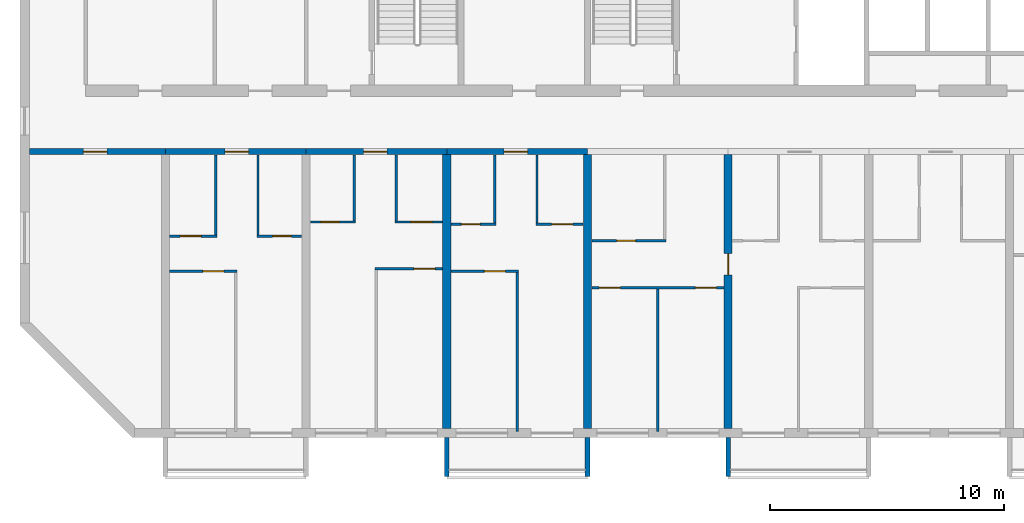
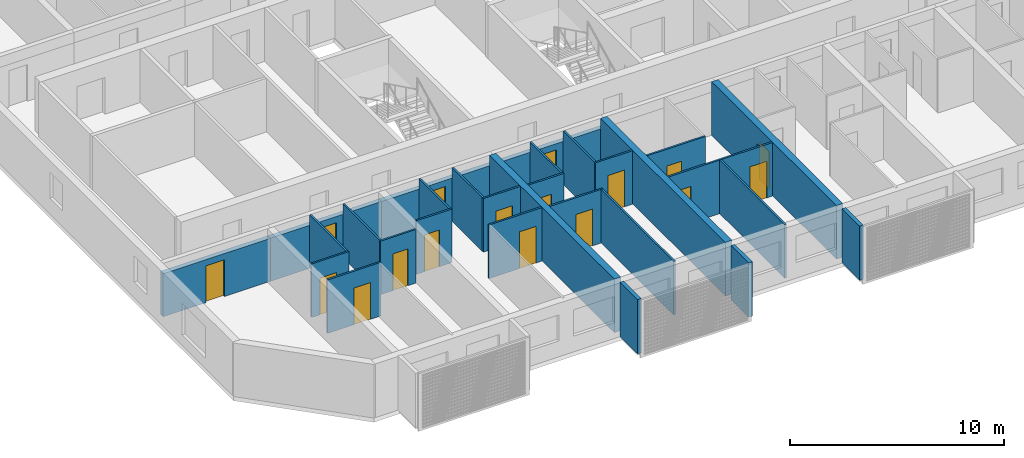
# One storey, part 3 of 28: 29 walls, 17 doors, 17 openings.
"""IFC4 building model written with IfcOpenShell, lengths in metres."""

from ifc_helpers import new_model, si_unit, direction, frame, frame_2d, origin, place, context, subcontext, project, spatial, polyline, rectangle, outline, extrude, source, transform, mapped, material, layer, layer_set, type_object, element, fill, save


model = new_model("IFC4")

# Units and contexts
model_context = context("Model", 3, precision=1e-05, world=origin(), true_north=direction((0.0, 1.0)))
body_context = subcontext(model_context, "Body", "Model", "MODEL_VIEW")
ifc_project = project(units=[si_unit("LENGTHUNIT", "METRE"), si_unit("AREAUNIT", "SQUARE_METRE"), si_unit("VOLUMEUNIT", "CUBIC_METRE"), si_unit("PLANEANGLEUNIT", "RADIAN"), si_unit("MASSUNIT", "GRAM", prefix="KILO")], contexts=[model_context])

# Site, building, storey
site_placement = place(None, origin())
site = spatial("IfcSite", under=ifc_project, at=site_placement, CompositionType="ELEMENT")
building_placement = place(site_placement, origin())
building = spatial("IfcBuilding", under=site, at=building_placement, Name="Poui Terraces", CompositionType="ELEMENT")
storey_placement = place(building_placement, frame((0.0, 0.0, 72.89990234375)))
storey = spatial("IfcBuildingStorey", under=building, at=storey_placement, Name="L19", CompositionType="ELEMENT", Elevation=72.89990234375)

# Wall, opening, door
ifc_material_1 = material(Name="Concrete 65 MPa", Category="concrete")
ifc_layer_1 = layer(ifc_material_1, 0.25)
ifc_layer_set_1 = layer_set([ifc_layer_1], Name="Concrete 65 MPa")
wall_type_1 = type_object("IfcWallType", Name="CORRIDOR WALL 250 65MPa", PredefinedType="SHEAR", material=ifc_layer_set_1)
wall_1_placement = place(storey_placement, frame((6.199951171875, 12.0, 0.0), z_axis=(0.0, 0.0, 1.0), x_axis=(1.0, 0.0, 0.0)))
wall_1 = element("IfcWall", 1, at=wall_1_placement, inside=storey, type_object=wall_type_1, Name="CORRIDOR WALL LINE B BAY 1", PredefinedType="SHEAR", context=body_context, shape_type="SweptSolid", body=[
    extrude(rectangle(XDim=5.800048828125, YDim=0.25, at=frame_2d((2.89990234375, 0.0))), origin(), (0.0, 0.0, 1.0), 2.460205078125),
])
opening_1_placement = place(wall_1_placement, frame((2.300048828125, 0.0, 0.0)))
opening_1 = element("IfcOpeningElement", 2, at=opening_1_placement, cuts=wall_1, Name="Opening D100", PredefinedType="OPENING", context=body_context, shape_type="SweptSolid", body=[
    extrude(rectangle(XDim=1.0, YDim=2.10009765625, at=frame_2d((0.5, 1.050048828125))), frame((0.0, 0.135009765625, 0.0), z_axis=(0.0, -1.0, 0.0), x_axis=(1.0, 0.0, 0.0)), (0.0, 0.0, 1.0), 0.27001953125),
])
ifc_material_2 = material(Name="Solid core timber door", Category="wood")
door_type_1 = type_object("IfcDoorType", Name="ACCESSIBLE INTERNAL DOOR 1000 X 2100", OperationType="NOTDEFINED", PredefinedType="DOOR", material=ifc_material_2)
door_1_placement = place(opening_1_placement, frame((1.0, 0.0, 0.0), z_axis=(0.0, 0.0, 1.0), x_axis=(-1.0, 0.0, 0.0)))
door_1 = element("IfcDoor", 3, at=door_1_placement, inside=storey, type_object=door_type_1, Name="ACCESSIBLE INTERNAL DOOR 083", OperationType="SINGLE_SWING_RIGHT", OverallHeight=2.10009765625, OverallWidth=1.0, PredefinedType="DOOR", context=body_context, shape_type="SweptSolid", body=[
    extrude(rectangle(XDim=1.0, YDim=2.10009765625, at=frame_2d((0.5, 1.050048828125))), frame((0.0, 0.02490234375, 0.0), z_axis=(0.0, -1.0, 0.0), x_axis=(1.0, 0.0, 0.0)), (0.0, 0.0, 1.0), 0.050048828125),
])
fill(opening_1, door_1)

wall_2_placement = place(storey_placement, frame((12.0, 12.0, 0.0), z_axis=(0.0, 0.0, 1.0), x_axis=(1.0, 0.0, 0.0)))
wall_2 = element("IfcWall", 4, at=wall_2_placement, inside=storey, type_object=wall_type_1, Name="CORRIDOR WALL LINE B BAY 2", PredefinedType="SHEAR", context=body_context, shape_type="SweptSolid", body=[
    extrude(rectangle(XDim=6.0, YDim=0.25, at=frame_2d((3.0, 0.0))), origin(), (0.0, 0.0, 1.0), 2.460205078125),
])
opening_2_placement = place(wall_2_placement, frame((2.550048828125, 0.0, 0.0)))
opening_2 = element("IfcOpeningElement", 5, at=opening_2_placement, cuts=wall_2, Name="Opening FD30S", PredefinedType="OPENING", context=body_context, shape_type="SweptSolid", body=[
    extrude(rectangle(XDim=1.0, YDim=2.10009765625, at=frame_2d((0.5, 1.050048828125))), frame((0.0, 0.135009765625, 0.0), z_axis=(0.0, -1.0, 0.0), x_axis=(1.0, 0.0, 0.0)), (0.0, 0.0, 1.0), 0.27001953125),
])
ifc_material_3 = material(Name="Steel fire door", Category="steel")
door_type_2 = type_object("IfcDoorType", Name="FLAT ENTRANCE DOOR 1000 X 2100", OperationType="NOTDEFINED", PredefinedType="DOOR", material=ifc_material_3)
door_2_placement = place(opening_2_placement, frame((1.0, 0.0, 0.0), z_axis=(0.0, 0.0, 1.0), x_axis=(-1.0, 0.0, 0.0)))
door_2 = element("IfcDoor", 6, at=door_2_placement, inside=storey, type_object=door_type_2, Name="FLAT ENTRANCE DOOR 086", OperationType="SINGLE_SWING_LEFT", OverallHeight=2.10009765625, OverallWidth=1.0, PredefinedType="DOOR", context=body_context, shape_type="SweptSolid", body=[
    extrude(rectangle(XDim=1.0, YDim=2.10009765625, at=frame_2d((0.5, 1.050048828125))), frame((0.0, 0.02490234375, 0.0), z_axis=(0.0, -1.0, 0.0), x_axis=(1.0, 0.0, 0.0)), (0.0, 0.0, 1.0), 0.050048828125),
])
fill(opening_2, door_2)

wall_3_placement = place(storey_placement, frame((18.0, 12.0, 0.0), z_axis=(0.0, 0.0, 1.0), x_axis=(1.0, 0.0, 0.0)))
wall_3 = element("IfcWall", 7, at=wall_3_placement, inside=storey, type_object=wall_type_1, Name="CORRIDOR WALL LINE B BAY 3", PredefinedType="SHEAR", context=body_context, shape_type="SweptSolid", body=[
    extrude(rectangle(XDim=6.0, YDim=0.25, at=frame_2d((3.0, 0.0))), origin(), (0.0, 0.0, 1.0), 2.460205078125),
])
opening_3_placement = place(wall_3_placement, frame((2.449951171875, 0.0, 0.0)))
opening_3 = element("IfcOpeningElement", 8, at=opening_3_placement, cuts=wall_3, Name="Opening FD30S", PredefinedType="OPENING", context=body_context, shape_type="SweptSolid", body=[
    extrude(rectangle(XDim=1.0, YDim=2.10009765625, at=frame_2d((0.5, 1.050048828125))), frame((0.0, 0.135009765625, 0.0), z_axis=(0.0, -1.0, 0.0), x_axis=(1.0, 0.0, 0.0)), (0.0, 0.0, 1.0), 0.27001953125),
])
door_3_placement = place(opening_3_placement, frame((1.0, 0.0, 0.0), z_axis=(0.0, 0.0, 1.0), x_axis=(-1.0, 0.0, 0.0)))
door_3 = element("IfcDoor", 9, at=door_3_placement, inside=storey, type_object=door_type_2, Name="FLAT ENTRANCE DOOR 089", OperationType="SINGLE_SWING_RIGHT", OverallHeight=2.10009765625, OverallWidth=1.0, PredefinedType="DOOR", context=body_context, shape_type="SweptSolid", body=[
    extrude(rectangle(XDim=1.0, YDim=2.10009765625, at=frame_2d((0.5, 1.050048828125))), frame((0.0, 0.02490234375, 0.0), z_axis=(0.0, -1.0, 0.0), x_axis=(1.0, 0.0, 0.0)), (0.0, 0.0, 1.0), 0.050048828125),
])
fill(opening_3, door_3)

wall_4_placement = place(storey_placement, frame((24.0, 12.0, 0.0), z_axis=(0.0, 0.0, 1.0), x_axis=(1.0, 0.0, 0.0)))
wall_4 = element("IfcWall", 10, at=wall_4_placement, inside=storey, type_object=wall_type_1, Name="CORRIDOR WALL LINE B BAY 4", PredefinedType="SHEAR", context=body_context, shape_type="SweptSolid", body=[
    extrude(rectangle(XDim=6.0, YDim=0.25, at=frame_2d((3.0, 0.0))), origin(), (0.0, 0.0, 1.0), 2.460205078125),
])
opening_4_placement = place(wall_4_placement, frame((2.449951171875, 0.0, 0.0)))
opening_4 = element("IfcOpeningElement", 11, at=opening_4_placement, cuts=wall_4, Name="Opening FD30S", PredefinedType="OPENING", context=body_context, shape_type="SweptSolid", body=[
    extrude(rectangle(XDim=1.0, YDim=2.10009765625, at=frame_2d((0.5, 1.050048828125))), frame((0.0, 0.135009765625, 0.0), z_axis=(0.0, -1.0, 0.0), x_axis=(1.0, 0.0, 0.0)), (0.0, 0.0, 1.0), 0.27001953125),
])
door_4_placement = place(opening_4_placement, frame((1.0, 0.0, 0.0), z_axis=(0.0, 0.0, 1.0), x_axis=(-1.0, 0.0, 0.0)))
door_4 = element("IfcDoor", 12, at=door_4_placement, inside=storey, type_object=door_type_2, Name="FLAT ENTRANCE DOOR 094", OperationType="SINGLE_SWING_RIGHT", OverallHeight=2.10009765625, OverallWidth=1.0, PredefinedType="DOOR", context=body_context, shape_type="SweptSolid", body=[
    extrude(rectangle(XDim=1.0, YDim=2.10009765625, at=frame_2d((0.5, 1.050048828125))), frame((0.0, 0.02490234375, 0.0), z_axis=(0.0, -1.0, 0.0), x_axis=(1.0, 0.0, 0.0)), (0.0, 0.0, 1.0), 0.050048828125),
])
fill(opening_4, door_4)

# Walls
ifc_layer_2 = layer(ifc_material_1, 0.35009765625)
ifc_layer_set_2 = layer_set([ifc_layer_2], Name="Concrete 65 MPa")
wall_type_2 = type_object("IfcWallType", Name="CROSS WALL 350 65MPa", PredefinedType="SHEAR", material=ifc_layer_set_2)
for number, where, z_axis, x_axis, name in (
    (13, (24.0, 0.199951171875, 0.0), (0.0, 0.0, 1.0), (0.0, 1.0, 0.0), "CROSS WALL LINE 5 SOUTH"),
    (14, (30.0, 0.199951171875, 0.0), (0.0, 0.0, 1.0), (0.0, 1.0, 0.0), "CROSS WALL LINE 6 SOUTH"),
):
    element("IfcWall", number, at=place(storey_placement, frame(where, z_axis=z_axis, x_axis=x_axis)), inside=storey, type_object=wall_type_2, Name=name, PredefinedType="SHEAR", context=body_context, shape_type="SweptSolid", body=[
        extrude(rectangle(XDim=11.675048828125, YDim=0.35009765625, at=frame_2d((5.83740234375, 0.0))), origin(), (0.0, 0.0, 1.0), 3.06005859375),
    ])

# Wall, opening, door
wall_5_placement = place(storey_placement, frame((36.0, 0.199951171875, 0.0), z_axis=(0.0, 0.0, 1.0), x_axis=(0.0, 1.0, 0.0)))
wall_5 = element("IfcWall", 15, at=wall_5_placement, inside=storey, type_object=wall_type_2, Name="CROSS WALL LINE 7 SOUTH", PredefinedType="SHEAR", context=body_context, shape_type="SweptSolid", body=[
    extrude(rectangle(XDim=11.675048828125, YDim=0.35009765625, at=frame_2d((5.83740234375, 0.0))), origin(), (0.0, 0.0, 1.0), 3.06005859375),
])
opening_5_placement = place(wall_5_placement, frame((6.550048828125, 0.0, 0.0)))
opening_5 = element("IfcOpeningElement", 16, at=opening_5_placement, cuts=wall_5, Name="Opening D90", PredefinedType="OPENING", context=body_context, shape_type="SweptSolid", body=[
    extrude(rectangle(XDim=0.89990234375, YDim=2.10009765625, at=frame_2d((0.449951171875, 1.050048828125))), frame((0.0, 0.18505859375, 0.0), z_axis=(0.0, -1.0, 0.0), x_axis=(1.0, 0.0, 0.0)), (0.0, 0.0, 1.0), 0.3701171875),
])
door_type_3 = type_object("IfcDoorType", Name="INTERNAL DOOR 900 X 2100", OperationType="NOTDEFINED", PredefinedType="DOOR", material=ifc_material_2)
door_5_placement = place(opening_5_placement, frame((0.89990234375, 0.0, 0.0), z_axis=(0.0, 0.0, 1.0), x_axis=(-1.0, 0.0, 0.0)))
door_5 = element("IfcDoor", 17, at=door_5_placement, inside=storey, type_object=door_type_3, Name="INTERNAL DOOR 099", OperationType="SINGLE_SWING_LEFT", OverallHeight=2.10009765625, OverallWidth=0.89990234375, PredefinedType="DOOR", context=body_context, shape_type="SweptSolid", body=[
    extrude(rectangle(XDim=0.89990234375, YDim=2.10009765625, at=frame_2d((0.449951171875, 1.050048828125))), frame((0.0, 0.02490234375, 0.0), z_axis=(0.0, -1.0, 0.0), x_axis=(1.0, 0.0, 0.0)), (0.0, 0.0, 1.0), 0.050048828125),
])
fill(opening_5, door_5)

# Wall, openings, doors
ifc_material_4 = material(Name="Plasterboard partition")
ifc_layer_3 = layer(ifc_material_4, 0.10009765625)
ifc_layer_set_3 = layer_set([ifc_layer_3], Name="Plasterboard partition")
wall_type_3 = type_object("IfcWallType", Name="FLAT PARTITION 100", PredefinedType="PARTITIONING", material=ifc_layer_set_3)
wall_6_placement = place(storey_placement, frame((30.18505859375, 6.199951171875, 0.0), z_axis=(0.0, 0.0, 1.0), x_axis=(1.0, 0.0, 0.0)))
wall_6 = element("IfcWall", 18, at=wall_6_placement, inside=storey, type_object=wall_type_3, Name="FLAT PARTITION 100", PredefinedType="PARTITIONING", context=body_context, shape_type="SweptSolid", body=[
    extrude(rectangle(XDim=5.6298828125, YDim=0.10009765625, at=frame_2d((2.81494140625, 0.0))), origin(), (0.0, 0.0, 1.0), 3.06005859375),
])
opening_6_placement = place(wall_6_placement, frame((0.31494140625, 0.0, 0.0)))
opening_6 = element("IfcOpeningElement", 19, at=opening_6_placement, cuts=wall_6, Name="Opening D90", PredefinedType="OPENING", context=body_context, shape_type="SweptSolid", body=[
    extrude(rectangle(XDim=0.89990234375, YDim=2.10009765625, at=frame_2d((0.449951171875, 1.050048828125))), frame((0.0, 0.06005859375, 0.0), z_axis=(0.0, -1.0, 0.0), x_axis=(1.0, 0.0, 0.0)), (0.0, 0.0, 1.0), 0.1201171875),
])
opening_7_placement = place(wall_6_placement, frame((4.4150390625, 0.0, 0.0)))
opening_7 = element("IfcOpeningElement", 20, at=opening_7_placement, cuts=wall_6, Name="Opening D90", PredefinedType="OPENING", context=body_context, shape_type="SweptSolid", body=[
    extrude(rectangle(XDim=0.89990234375, YDim=2.10009765625, at=frame_2d((0.449951171875, 1.050048828125))), frame((0.0, 0.06005859375, 0.0), z_axis=(0.0, -1.0, 0.0), x_axis=(1.0, 0.0, 0.0)), (0.0, 0.0, 1.0), 0.1201171875),
])
door_6_placement = place(opening_6_placement, frame((0.89990234375, 0.0, 0.0), z_axis=(0.0, 0.0, 1.0), x_axis=(-1.0, 0.0, 0.0)))
door_6 = element("IfcDoor", 21, at=door_6_placement, inside=storey, type_object=door_type_3, Name="INTERNAL DOOR 096", OperationType="SINGLE_SWING_RIGHT", OverallHeight=2.10009765625, OverallWidth=0.89990234375, PredefinedType="DOOR", context=body_context, shape_type="SweptSolid", body=[
    extrude(rectangle(XDim=0.89990234375, YDim=2.10009765625, at=frame_2d((0.449951171875, 1.050048828125))), frame((0.0, 0.02490234375, 0.0), z_axis=(0.0, -1.0, 0.0), x_axis=(1.0, 0.0, 0.0)), (0.0, 0.0, 1.0), 0.050048828125),
])
fill(opening_6, door_6)
door_7_placement = place(opening_7_placement, frame((0.89990234375, 0.0, 0.0), z_axis=(0.0, 0.0, 1.0), x_axis=(-1.0, 0.0, 0.0)))
door_7 = element("IfcDoor", 22, at=door_7_placement, inside=storey, type_object=door_type_3, Name="INTERNAL DOOR 098", OperationType="SINGLE_SWING_LEFT", OverallHeight=2.10009765625, OverallWidth=0.89990234375, PredefinedType="DOOR", context=body_context, shape_type="SweptSolid", body=[
    extrude(rectangle(XDim=0.89990234375, YDim=2.10009765625, at=frame_2d((0.449951171875, 1.050048828125))), frame((0.0, 0.02490234375, 0.0), z_axis=(0.0, -1.0, 0.0), x_axis=(1.0, 0.0, 0.0)), (0.0, 0.0, 1.0), 0.050048828125),
])
fill(opening_7, door_7)

# Wall, opening, door
wall_7_placement = place(storey_placement, frame((12.18505859375, 6.89990234375, 0.0), z_axis=(0.0, 0.0, 1.0), x_axis=(1.0, 0.0, 0.0)))
wall_7 = element("IfcWall", 23, at=wall_7_placement, inside=storey, type_object=wall_type_3, Name="FLAT PARTITION 100", PredefinedType="PARTITIONING", context=body_context, shape_type="SweptSolid", body=[
    extrude(rectangle(XDim=2.864990234375, YDim=0.10009765625, at=frame_2d((1.4326171875, 0.0))), origin(), (0.0, 0.0, 1.0), 3.06005859375),
])
opening_8_placement = place(wall_7_placement, frame((1.4150390625, 0.0, 0.0)))
opening_8 = element("IfcOpeningElement", 24, at=opening_8_placement, cuts=wall_7, Name="Opening D90", PredefinedType="OPENING", context=body_context, shape_type="SweptSolid", body=[
    extrude(rectangle(XDim=0.89990234375, YDim=2.10009765625, at=frame_2d((0.449951171875, 1.050048828125))), frame((0.0, 0.06005859375, 0.0), z_axis=(0.0, -1.0, 0.0), x_axis=(1.0, 0.0, 0.0)), (0.0, 0.0, 1.0), 0.1201171875),
])
door_8_placement = place(opening_8_placement, origin())
door_8 = element("IfcDoor", 25, at=door_8_placement, inside=storey, type_object=door_type_3, Name="INTERNAL DOOR 085", OperationType="SINGLE_SWING_LEFT", OverallHeight=2.10009765625, OverallWidth=0.89990234375, PredefinedType="DOOR", context=body_context, shape_type="SweptSolid", body=[
    extrude(rectangle(XDim=0.89990234375, YDim=2.10009765625, at=frame_2d((0.449951171875, 1.050048828125))), frame((0.0, 0.02490234375, 0.0), z_axis=(0.0, -1.0, 0.0), x_axis=(1.0, 0.0, 0.0)), (0.0, 0.0, 1.0), 0.050048828125),
])
fill(opening_8, door_8)

wall_8_placement = place(storey_placement, frame((24.18505859375, 6.89990234375, 0.0), z_axis=(0.0, 0.0, 1.0), x_axis=(1.0, 0.0, 0.0)))
wall_8 = element("IfcWall", 26, at=wall_8_placement, inside=storey, type_object=wall_type_3, Name="FLAT PARTITION 100", PredefinedType="PARTITIONING", context=body_context, shape_type="SweptSolid", body=[
    extrude(rectangle(XDim=2.864990234375, YDim=0.10009765625, at=frame_2d((1.4326171875, 0.0))), origin(), (0.0, 0.0, 1.0), 3.06005859375),
])
opening_9_placement = place(wall_8_placement, frame((1.4150390625, 0.0, 0.0)))
opening_9 = element("IfcOpeningElement", 27, at=opening_9_placement, cuts=wall_8, Name="Opening D90", PredefinedType="OPENING", context=body_context, shape_type="SweptSolid", body=[
    extrude(rectangle(XDim=0.89990234375, YDim=2.10009765625, at=frame_2d((0.449951171875, 1.050048828125))), frame((0.0, 0.06005859375, 0.0), z_axis=(0.0, -1.0, 0.0), x_axis=(1.0, 0.0, 0.0)), (0.0, 0.0, 1.0), 0.1201171875),
])
door_9_placement = place(opening_9_placement, origin())
door_9 = element("IfcDoor", 28, at=door_9_placement, inside=storey, type_object=door_type_3, Name="INTERNAL DOOR 093", OperationType="SINGLE_SWING_LEFT", OverallHeight=2.10009765625, OverallWidth=0.89990234375, PredefinedType="DOOR", context=body_context, shape_type="SweptSolid", body=[
    extrude(rectangle(XDim=0.89990234375, YDim=2.10009765625, at=frame_2d((0.449951171875, 1.050048828125))), frame((0.0, 0.02490234375, 0.0), z_axis=(0.0, -1.0, 0.0), x_axis=(1.0, 0.0, 0.0)), (0.0, 0.0, 1.0), 0.050048828125),
])
fill(opening_9, door_9)

wall_9_placement = place(storey_placement, frame((20.949951171875, 7.0, 0.0), z_axis=(0.0, 0.0, 1.0), x_axis=(1.0, 0.0, 0.0)))
wall_9 = element("IfcWall", 29, at=wall_9_placement, inside=storey, type_object=wall_type_3, Name="FLAT PARTITION 100", PredefinedType="PARTITIONING", context=body_context, shape_type="SweptSolid", body=[
    extrude(rectangle(XDim=2.864990234375, YDim=0.10009765625, at=frame_2d((1.4326171875, 0.0))), origin(), (0.0, 0.0, 1.0), 3.06005859375),
])
opening_10_placement = place(wall_9_placement, frame((1.64990234375, 0.0, 0.0)))
opening_10 = element("IfcOpeningElement", 30, at=opening_10_placement, cuts=wall_9, Name="Opening D90", PredefinedType="OPENING", context=body_context, shape_type="SweptSolid", body=[
    extrude(rectangle(XDim=0.89990234375, YDim=2.10009765625, at=frame_2d((0.449951171875, 1.050048828125))), frame((0.0, 0.06005859375, 0.0), z_axis=(0.0, -1.0, 0.0), x_axis=(1.0, 0.0, 0.0)), (0.0, 0.0, 1.0), 0.1201171875),
])
door_10_placement = place(opening_10_placement, origin())
door_10 = element("IfcDoor", 31, at=door_10_placement, inside=storey, type_object=door_type_3, Name="INTERNAL DOOR 091", OperationType="SINGLE_SWING_LEFT", OverallHeight=2.10009765625, OverallWidth=0.89990234375, PredefinedType="DOOR", context=body_context, shape_type="SweptSolid", body=[
    extrude(rectangle(XDim=0.89990234375, YDim=2.10009765625, at=frame_2d((0.449951171875, 1.050048828125))), frame((0.0, 0.02490234375, 0.0), z_axis=(0.0, -1.0, 0.0), x_axis=(1.0, 0.0, 0.0)), (0.0, 0.0, 1.0), 0.050048828125),
])
fill(opening_10, door_10)

wall_10_placement = place(storey_placement, frame((30.18505859375, 8.199951171875, 0.0), z_axis=(0.0, 0.0, 1.0), x_axis=(1.0, 0.0, 0.0)))
wall_10 = element("IfcWall", 32, at=wall_10_placement, inside=storey, type_object=wall_type_3, Name="FLAT PARTITION 100", PredefinedType="PARTITIONING", context=body_context, shape_type="SweptSolid", body=[
    extrude(rectangle(XDim=3.1650390625, YDim=0.10009765625, at=frame_2d((1.58251953125, 0.0))), origin(), (0.0, 0.0, 1.0), 3.06005859375),
])
opening_11_placement = place(wall_10_placement, frame((1.06494140625, 0.0, 0.0)))
opening_11 = element("IfcOpeningElement", 33, at=opening_11_placement, cuts=wall_10, Name="Opening D80", PredefinedType="OPENING", context=body_context, shape_type="SweptSolid", body=[
    extrude(rectangle(XDim=0.800048828125, YDim=2.10009765625, at=frame_2d((0.39990234375, 1.050048828125))), frame((0.0, 0.06005859375, 0.0), z_axis=(0.0, -1.0, 0.0), x_axis=(1.0, 0.0, 0.0)), (0.0, 0.0, 1.0), 0.1201171875),
])
door_type_4 = type_object("IfcDoorType", Name="BATHROOM, LAUNDRY AND STORE DOOR 800 X 2100", OperationType="NOTDEFINED", PredefinedType="DOOR", material=ifc_material_2)
door_11_placement = place(opening_11_placement, frame((0.800048828125, 0.0, 0.0), z_axis=(0.0, 0.0, 1.0), x_axis=(-1.0, 0.0, 0.0)))
door_11 = element("IfcDoor", 34, at=door_11_placement, inside=storey, type_object=door_type_4, Name="BATHROOM, LAUNDRY AND STORE DOOR 097", OperationType="SINGLE_SWING_LEFT", OverallHeight=2.10009765625, OverallWidth=0.800048828125, PredefinedType="DOOR", context=body_context, shape_type="SweptSolid", body=[
    extrude(rectangle(XDim=0.800048828125, YDim=2.10009765625, at=frame_2d((0.39990234375, 1.050048828125))), frame((0.0, 0.02490234375, 0.0), z_axis=(0.0, -1.0, 0.0), x_axis=(1.0, 0.0, 0.0)), (0.0, 0.0, 1.0), 0.050048828125),
])
fill(opening_11, door_11)

wall_11_placement = place(storey_placement, frame((12.18505859375, 8.39990234375, 0.0), z_axis=(0.0, 0.0, 1.0), x_axis=(1.0, 0.0, 0.0)))
wall_11 = element("IfcWall", 35, at=wall_11_placement, inside=storey, type_object=wall_type_3, Name="FLAT PARTITION 100", PredefinedType="PARTITIONING", context=body_context, shape_type="SweptSolid", body=[
    extrude(rectangle(XDim=2.014892578125, YDim=0.10009765625, at=frame_2d((1.00732421875, 0.0))), origin(), (0.0, 0.0, 1.0), 3.06005859375),
])
opening_12_placement = place(wall_11_placement, frame((0.43994140625, 0.0, 0.0)))
opening_12 = element("IfcOpeningElement", 36, at=opening_12_placement, cuts=wall_11, Name="Opening D90", PredefinedType="OPENING", context=body_context, shape_type="SweptSolid", body=[
    extrude(rectangle(XDim=0.89990234375, YDim=2.10009765625, at=frame_2d((0.449951171875, 1.050048828125))), frame((0.0, 0.06005859375, 0.0), z_axis=(0.0, -1.0, 0.0), x_axis=(1.0, 0.0, 0.0)), (0.0, 0.0, 1.0), 0.1201171875),
])
door_12_placement = place(opening_12_placement, origin())
door_12 = element("IfcDoor", 37, at=door_12_placement, inside=storey, type_object=door_type_3, Name="INTERNAL DOOR 084", OperationType="SINGLE_SWING_RIGHT", OverallHeight=2.10009765625, OverallWidth=0.89990234375, PredefinedType="DOOR", context=body_context, shape_type="SweptSolid", body=[
    extrude(rectangle(XDim=0.89990234375, YDim=2.10009765625, at=frame_2d((0.449951171875, 1.050048828125))), frame((0.0, 0.02490234375, 0.0), z_axis=(0.0, -1.0, 0.0), x_axis=(1.0, 0.0, 0.0)), (0.0, 0.0, 1.0), 0.050048828125),
])
fill(opening_12, door_12)

wall_12_placement = place(storey_placement, frame((15.89990234375, 8.39990234375, 0.0), z_axis=(0.0, 0.0, 1.0), x_axis=(1.0, 0.0, 0.0)))
wall_12 = element("IfcWall", 38, at=wall_12_placement, inside=storey, type_object=wall_type_3, Name="FLAT PARTITION 100", PredefinedType="PARTITIONING", context=body_context, shape_type="SweptSolid", body=[
    extrude(rectangle(XDim=1.9150390625, YDim=0.10009765625, at=frame_2d((0.95751953125, 0.0))), origin(), (0.0, 0.0, 1.0), 3.06005859375),
])
opening_13_placement = place(wall_12_placement, frame((0.675048828125, 0.0, 0.0)))
opening_13 = element("IfcOpeningElement", 39, at=opening_13_placement, cuts=wall_12, Name="Opening D80", PredefinedType="OPENING", context=body_context, shape_type="SweptSolid", body=[
    extrude(rectangle(XDim=0.800048828125, YDim=2.10009765625, at=frame_2d((0.39990234375, 1.050048828125))), frame((0.0, 0.06005859375, 0.0), z_axis=(0.0, -1.0, 0.0), x_axis=(1.0, 0.0, 0.0)), (0.0, 0.0, 1.0), 0.1201171875),
])
door_13_placement = place(opening_13_placement, origin())
door_13 = element("IfcDoor", 40, at=door_13_placement, inside=storey, type_object=door_type_4, Name="BATHROOM, LAUNDRY AND STORE DOOR 087", OperationType="SINGLE_SWING_LEFT", OverallHeight=2.10009765625, OverallWidth=0.800048828125, PredefinedType="DOOR", context=body_context, shape_type="SweptSolid", body=[
    extrude(rectangle(XDim=0.800048828125, YDim=2.10009765625, at=frame_2d((0.39990234375, 1.050048828125))), frame((0.0, 0.02490234375, 0.0), z_axis=(0.0, -1.0, 0.0), x_axis=(1.0, 0.0, 0.0)), (0.0, 0.0, 1.0), 0.050048828125),
])
fill(opening_13, door_13)

wall_13_placement = place(storey_placement, frame((24.18505859375, 8.89990234375, 0.0), z_axis=(0.0, 0.0, 1.0), x_axis=(1.0, 0.0, 0.0)))
wall_13 = element("IfcWall", 41, at=wall_13_placement, inside=storey, type_object=wall_type_3, Name="FLAT PARTITION 100", PredefinedType="PARTITIONING", context=body_context, shape_type="SweptSolid", body=[
    extrude(rectangle(XDim=1.9150390625, YDim=0.10009765625, at=frame_2d((0.95751953125, 0.0))), origin(), (0.0, 0.0, 1.0), 3.06005859375),
])
opening_14_placement = place(wall_13_placement, frame((0.43994140625, 0.0, 0.0)))
opening_14 = element("IfcOpeningElement", 42, at=opening_14_placement, cuts=wall_13, Name="Opening D80", PredefinedType="OPENING", context=body_context, shape_type="SweptSolid", body=[
    extrude(rectangle(XDim=0.800048828125, YDim=2.10009765625, at=frame_2d((0.39990234375, 1.050048828125))), frame((0.0, 0.06005859375, 0.0), z_axis=(0.0, -1.0, 0.0), x_axis=(1.0, 0.0, 0.0)), (0.0, 0.0, 1.0), 0.1201171875),
])
door_14_placement = place(opening_14_placement, origin())
door_14 = element("IfcDoor", 43, at=door_14_placement, inside=storey, type_object=door_type_4, Name="BATHROOM, LAUNDRY AND STORE DOOR 092", OperationType="SINGLE_SWING_RIGHT", OverallHeight=2.10009765625, OverallWidth=0.800048828125, PredefinedType="DOOR", context=body_context, shape_type="SweptSolid", body=[
    extrude(rectangle(XDim=0.800048828125, YDim=2.10009765625, at=frame_2d((0.39990234375, 1.050048828125))), frame((0.0, 0.02490234375, 0.0), z_axis=(0.0, -1.0, 0.0), x_axis=(1.0, 0.0, 0.0)), (0.0, 0.0, 1.0), 0.050048828125),
])
fill(opening_14, door_14)

wall_14_placement = place(storey_placement, frame((27.800048828125, 8.89990234375, 0.0), z_axis=(0.0, 0.0, 1.0), x_axis=(1.0, 0.0, 0.0)))
wall_14 = element("IfcWall", 44, at=wall_14_placement, inside=storey, type_object=wall_type_3, Name="FLAT PARTITION 100", PredefinedType="PARTITIONING", context=body_context, shape_type="SweptSolid", body=[
    extrude(rectangle(XDim=2.014892578125, YDim=0.10009765625, at=frame_2d((1.00732421875, 0.0))), origin(), (0.0, 0.0, 1.0), 3.06005859375),
])
opening_15_placement = place(wall_14_placement, frame((0.675048828125, 0.0, 0.0)))
opening_15 = element("IfcOpeningElement", 45, at=opening_15_placement, cuts=wall_14, Name="Opening D90", PredefinedType="OPENING", context=body_context, shape_type="SweptSolid", body=[
    extrude(rectangle(XDim=0.89990234375, YDim=2.10009765625, at=frame_2d((0.449951171875, 1.050048828125))), frame((0.0, 0.06005859375, 0.0), z_axis=(0.0, -1.0, 0.0), x_axis=(1.0, 0.0, 0.0)), (0.0, 0.0, 1.0), 0.1201171875),
])
door_15_placement = place(opening_15_placement, origin())
door_15 = element("IfcDoor", 46, at=door_15_placement, inside=storey, type_object=door_type_3, Name="INTERNAL DOOR 095", OperationType="SINGLE_SWING_LEFT", OverallHeight=2.10009765625, OverallWidth=0.89990234375, PredefinedType="DOOR", context=body_context, shape_type="SweptSolid", body=[
    extrude(rectangle(XDim=0.89990234375, YDim=2.10009765625, at=frame_2d((0.449951171875, 1.050048828125))), frame((0.0, 0.02490234375, 0.0), z_axis=(0.0, -1.0, 0.0), x_axis=(1.0, 0.0, 0.0)), (0.0, 0.0, 1.0), 0.050048828125),
])
fill(opening_15, door_15)

wall_15_placement = place(storey_placement, frame((18.18505859375, 9.0, 0.0), z_axis=(0.0, 0.0, 1.0), x_axis=(1.0, 0.0, 0.0)))
wall_15 = element("IfcWall", 47, at=wall_15_placement, inside=storey, type_object=wall_type_3, Name="FLAT PARTITION 100", PredefinedType="PARTITIONING", context=body_context, shape_type="SweptSolid", body=[
    extrude(rectangle(XDim=1.9150390625, YDim=0.10009765625, at=frame_2d((0.95751953125, 0.0))), origin(), (0.0, 0.0, 1.0), 3.06005859375),
])
opening_16_placement = place(wall_15_placement, frame((0.43994140625, 0.0, 0.0)))
opening_16 = element("IfcOpeningElement", 48, at=opening_16_placement, cuts=wall_15, Name="Opening D80", PredefinedType="OPENING", context=body_context, shape_type="SweptSolid", body=[
    extrude(rectangle(XDim=0.800048828125, YDim=2.10009765625, at=frame_2d((0.39990234375, 1.050048828125))), frame((0.0, 0.06005859375, 0.0), z_axis=(0.0, -1.0, 0.0), x_axis=(1.0, 0.0, 0.0)), (0.0, 0.0, 1.0), 0.1201171875),
])
door_16_placement = place(opening_16_placement, origin())
door_16 = element("IfcDoor", 49, at=door_16_placement, inside=storey, type_object=door_type_4, Name="BATHROOM, LAUNDRY AND STORE DOOR 088", OperationType="SINGLE_SWING_LEFT", OverallHeight=2.10009765625, OverallWidth=0.800048828125, PredefinedType="DOOR", context=body_context, shape_type="SweptSolid", body=[
    extrude(rectangle(XDim=0.800048828125, YDim=2.10009765625, at=frame_2d((0.39990234375, 1.050048828125))), frame((0.0, 0.02490234375, 0.0), z_axis=(0.0, -1.0, 0.0), x_axis=(1.0, 0.0, 0.0)), (0.0, 0.0, 1.0), 0.050048828125),
])
fill(opening_16, door_16)

wall_16_placement = place(storey_placement, frame((21.800048828125, 9.0, 0.0), z_axis=(0.0, 0.0, 1.0), x_axis=(1.0, 0.0, 0.0)))
wall_16 = element("IfcWall", 50, at=wall_16_placement, inside=storey, type_object=wall_type_3, Name="FLAT PARTITION 100", PredefinedType="PARTITIONING", context=body_context, shape_type="SweptSolid", body=[
    extrude(rectangle(XDim=2.014892578125, YDim=0.10009765625, at=frame_2d((1.00732421875, 0.0))), origin(), (0.0, 0.0, 1.0), 3.06005859375),
])
opening_17_placement = place(wall_16_placement, frame((0.675048828125, 0.0, 0.0)))
opening_17 = element("IfcOpeningElement", 51, at=opening_17_placement, cuts=wall_16, Name="Opening D90", PredefinedType="OPENING", context=body_context, shape_type="SweptSolid", body=[
    extrude(rectangle(XDim=0.89990234375, YDim=2.10009765625, at=frame_2d((0.449951171875, 1.050048828125))), frame((0.0, 0.06005859375, 0.0), z_axis=(0.0, -1.0, 0.0), x_axis=(1.0, 0.0, 0.0)), (0.0, 0.0, 1.0), 0.1201171875),
])
door_17_placement = place(opening_17_placement, origin())
door_17 = element("IfcDoor", 52, at=door_17_placement, inside=storey, type_object=door_type_3, Name="INTERNAL DOOR 090", OperationType="SINGLE_SWING_RIGHT", OverallHeight=2.10009765625, OverallWidth=0.89990234375, PredefinedType="DOOR", context=body_context, shape_type="SweptSolid", body=[
    extrude(rectangle(XDim=0.89990234375, YDim=2.10009765625, at=frame_2d((0.449951171875, 1.050048828125))), frame((0.0, 0.02490234375, 0.0), z_axis=(0.0, -1.0, 0.0), x_axis=(1.0, 0.0, 0.0)), (0.0, 0.0, 1.0), 0.050048828125),
])
fill(opening_17, door_17)

# Walls
for number, where, z_axis, x_axis, name in (
    (53, (14.14990234375, 8.449951171875, 0.0), (0.0, 0.0, 1.0), (0.0, 1.0, 0.0), "FLAT PARTITION 100"),
    (54, (15.949951171875, 8.449951171875, 0.0), (0.0, 0.0, 1.0), (0.0, 1.0, 0.0), "FLAT PARTITION 100"),
):
    element("IfcWall", number, at=place(storey_placement, frame(where, z_axis=z_axis, x_axis=x_axis)), inside=storey, type_object=wall_type_3, Name=name, PredefinedType="PARTITIONING", context=body_context, shape_type="SweptSolid", body=[
        extrude(rectangle(XDim=3.4150390625, YDim=0.10009765625, at=frame_2d((1.70751953125, 0.0))), origin(), (0.0, 0.0, 1.0), 3.06005859375),
    ])
for number, where, z_axis, x_axis, name in (
    (55, (20.050048828125, 9.050048828125, 0.0), (0.0, 0.0, 1.0), (0.0, 1.0, 0.0), "FLAT PARTITION 100"),
    (56, (21.85009765625, 9.050048828125, 0.0), (0.0, 0.0, 1.0), (0.0, 1.0, 0.0), "FLAT PARTITION 100"),
):
    element("IfcWall", number, at=place(storey_placement, frame(where, z_axis=z_axis, x_axis=x_axis)), inside=storey, type_object=wall_type_3, Name=name, PredefinedType="PARTITIONING", context=body_context, shape_type="SweptSolid", body=[
        extrude(rectangle(XDim=2.81494140625, YDim=0.10009765625, at=frame_2d((1.407470703125, 0.0))), origin(), (0.0, 0.0, 1.0), 3.06005859375),
    ])
wall_17_placement = place(storey_placement, frame((26.050048828125, 8.949951171875, 0.0), z_axis=(0.0, 0.0, 1.0), x_axis=(0.0, 1.0, 0.0)))
element("IfcWall", 57, at=wall_17_placement, inside=storey, type_object=wall_type_3, Name="FLAT PARTITION 100", PredefinedType="PARTITIONING", context=body_context, shape_type="SweptSolid", body=[
    extrude(rectangle(XDim=2.9150390625, YDim=0.10009765625, at=frame_2d((1.45751953125, 0.0))), origin(), (0.0, 0.0, 1.0), 3.06005859375),
])
wall_18_placement = place(storey_placement, frame((27.0, 0.06005859375, 0.0), z_axis=(0.0, 0.0, 1.0), x_axis=(0.0, 1.0, 0.0)))
element("IfcWall", 58, at=wall_18_placement, inside=storey, type_object=wall_type_3, Name="FLAT PARTITION 100", PredefinedType="PARTITIONING", context=body_context, shape_type="SweptSolid", body=[
    extrude(rectangle(XDim=6.7900390625, YDim=0.10009765625, at=frame_2d((3.39501953125, 0.0))), origin(), (0.0, 0.0, 1.0), 3.06005859375),
])
wall_19_placement = place(storey_placement, frame((27.85009765625, 8.949951171875, 0.0), z_axis=(0.0, 0.0, 1.0), x_axis=(0.0, 1.0, 0.0)))
element("IfcWall", 59, at=wall_19_placement, inside=storey, type_object=wall_type_3, Name="FLAT PARTITION 100", PredefinedType="PARTITIONING", context=body_context, shape_type="SweptSolid", body=[
    extrude(rectangle(XDim=2.9150390625, YDim=0.10009765625, at=frame_2d((1.45751953125, 0.0))), origin(), (0.0, 0.0, 1.0), 3.06005859375),
])
wall_20_placement = place(storey_placement, frame((33.0, 0.06005859375, 0.0), z_axis=(0.0, 0.0, 1.0), x_axis=(0.0, 1.0, 0.0)))
element("IfcWall", 60, at=wall_20_placement, inside=storey, type_object=wall_type_3, Name="FLAT PARTITION 100", PredefinedType="PARTITIONING", context=body_context, shape_type="SweptSolid", body=[
    extrude(rectangle(XDim=6.08984375, YDim=0.10009765625, at=frame_2d((3.044921875, 0.0))), origin(), (0.0, 0.0, 1.0), 3.06005859375),
])
ifc_material_5 = material(Name="Precast concrete 40 MPa", Category="concrete")
ifc_layer_4 = layer(ifc_material_5, 0.199951171875)
ifc_layer_set_4 = layer_set([ifc_layer_4], Name="Precast concrete 40 MPa")
wall_type_4 = type_object("IfcWallType", Name="REAR FIN 200", PredefinedType="STANDARD", material=ifc_layer_set_4)
shared_shape = source(origin(), body_context, "Body", "SweptSolid", [
    extrude(outline(polyline([(0.0, 0.0), (0.2001953125, 0.0), (0.2001953125, 1.650146484375), (0.0, 1.650146484375), (0.0, 0.0)])), origin(), (0.0, 0.0, 1.0), 3.10009765625),
])
for number, where, name in (
    (61, (23.89990234375, -1.85009765625, 0.0), "REAR FIN"),
    (62, (29.89990234375, -1.85009765625, 0.0), "REAR FIN"),
    (63, (35.89990234375, -1.85009765625, 0.0), "REAR FIN"),
):
    element("IfcWall", number, at=place(storey_placement, frame(where)), inside=storey, type_object=wall_type_4, Name=name, PredefinedType="STANDARD", context=body_context, shape_type="MappedRepresentation", body=[
        mapped(shared_shape, transform((0.0, 0.0, 0.0))),
    ])

save(model, "model.ifc")
